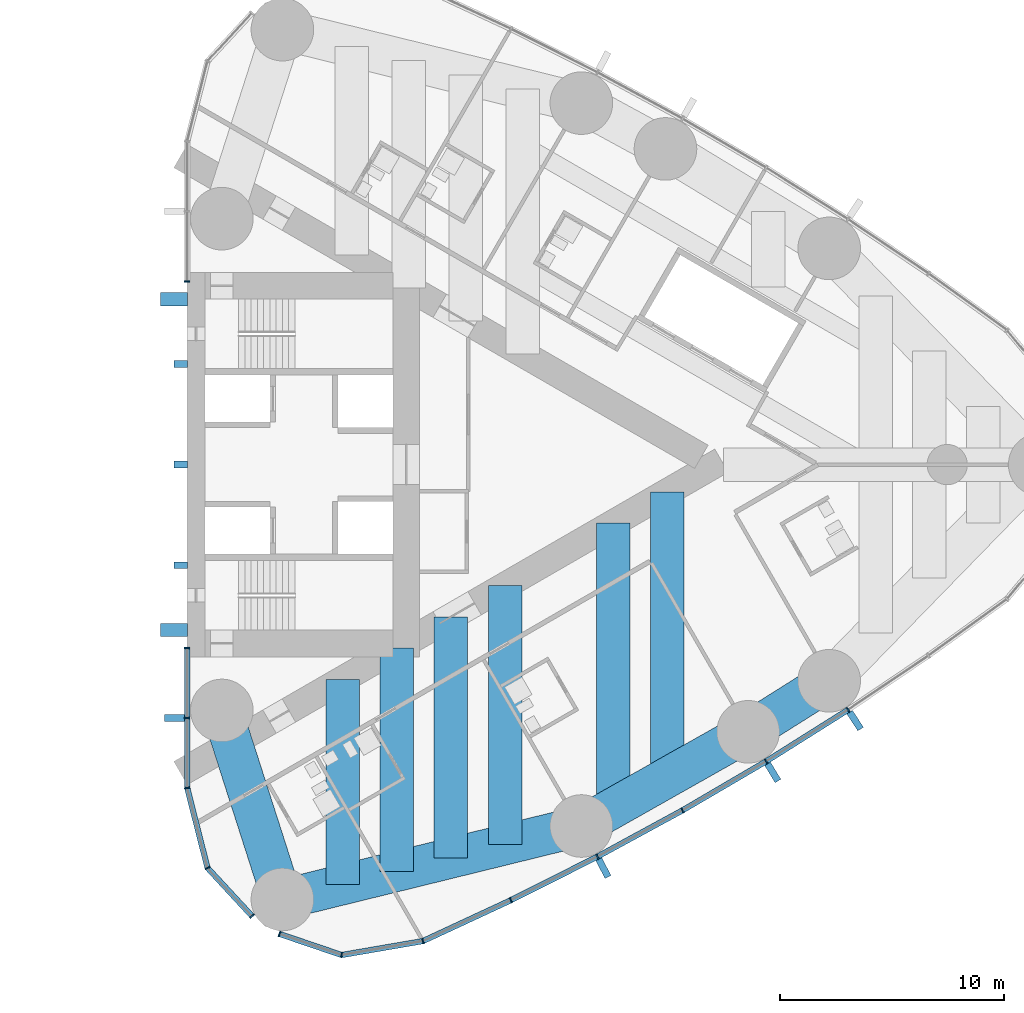
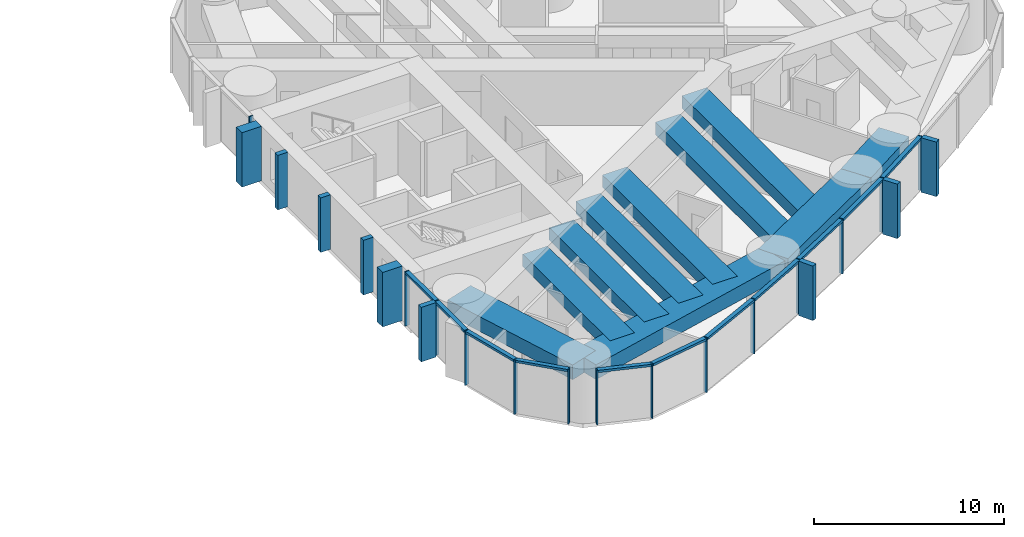
# One storey, part 6 of 18: 34 members, 10 beams, 3 elements without a shape of their own.
"""IFC4 building model written with IfcOpenShell, lengths in metres."""

from ifc_helpers import new_model, si_unit, direction, frame, origin, origin_2d, place, context, subcontext, project, spatial, rectangle, extrude, material, material_profile, profile_set, type_object, element, aggregate, save


model = new_model("IFC4")

# Units and contexts
model_context = context("Model", 3, precision=1e-05, world=origin(), true_north=direction((0.0, 1.0)))
body_context = subcontext(model_context, "Body", "Model", "MODEL_VIEW")
ifc_project = project(units=[si_unit("LENGTHUNIT", "METRE"), si_unit("AREAUNIT", "SQUARE_METRE"), si_unit("VOLUMEUNIT", "CUBIC_METRE"), si_unit("PLANEANGLEUNIT", "RADIAN"), si_unit("MASSUNIT", "GRAM", prefix="KILO")], contexts=[model_context])

# Site, building, storey
site_placement = place(None, origin())
site = spatial("IfcSite", under=ifc_project, at=site_placement, CompositionType="ELEMENT")
building_placement = place(site_placement, origin())
building = spatial("IfcBuilding", under=site, at=building_placement, Name="Lancet Gate Hotel", CompositionType="ELEMENT")
storey_placement = place(building_placement, frame((0.0, 0.0, 180.800048828125)))
storey = spatial("IfcBuildingStorey", under=building, at=storey_placement, Name="L48", CompositionType="ELEMENT", Elevation=180.800048828125)

# Curtain wall, members
ifc_material_1 = material(Name="Aluminium curtain wall", Category="aluminium")
curtain_wall_type = type_object("IfcCurtainWallType", Name="Tower unitised curtain wall", PredefinedType="USERDEFINED", material=ifc_material_1)
curtain_wall_1_placement = place(storey_placement, origin())
curtain_wall_1 = element("IfcCurtainWall", 1, at=curtain_wall_1_placement, inside=storey, type_object=curtain_wall_type, Name="T2 L48 curtain wall 1", ObjectType="UNITISED CURTAIN WALL", PredefinedType="USERDEFINED")
ifc_material_2 = material(Name="Aluminium mullion", Category="aluminium")
ifc_material_profile_1 = material_profile(ifc_material_2, rectangle(XDim=0.06494140625, YDim=0.25, at=origin_2d()), Name="MULLION 65x250")
ifc_profile_set_1 = profile_set([ifc_material_profile_1], Name="Aluminium mullion")
member_type_1 = type_object("IfcMemberType", Name="Aluminium mullion 65x250", PredefinedType="MULLION", material=ifc_profile_set_1)
member_1_placement = place(storey_placement, frame((27.5, -8.199951171875, 0.0), z_axis=(0.0, 0.0, 1.0), x_axis=(0.0, -1.0, 0.0)))
member_1 = element("IfcMember", 2, at=member_1_placement, type_object=member_type_1, Name="T2 L48 curtain wall 1 mullion 1", PredefinedType="MULLION", context=body_context, shape_type="SweptSolid", body=[
    extrude(rectangle(XDim=0.06494140625, YDim=0.25, at=origin_2d()), origin(), (0.0, 0.0, 1.0), 3.5),
])
member_2_placement = place(storey_placement, frame((27.5, -11.332763671875, 0.0), z_axis=(0.0, 0.0, 1.0), x_axis=(0.0, -1.0, 0.0)))
member_2 = element("IfcMember", 3, at=member_2_placement, type_object=member_type_1, Name="T2 L48 curtain wall 1 mullion 2", PredefinedType="MULLION", context=body_context, shape_type="SweptSolid", body=[
    extrude(rectangle(XDim=0.06494140625, YDim=0.25, at=origin_2d()), origin(), (0.0, 0.0, 1.0), 3.5),
])
member_3_placement = place(storey_placement, frame((27.5, -14.465576171875, 0.0), z_axis=(0.0, 0.0, 1.0), x_axis=(0.134206524909, -0.990953383703, 0.0)))
member_3 = element("IfcMember", 4, at=member_3_placement, type_object=member_type_1, Name="T2 L48 curtain wall 1 mullion 3", PredefinedType="MULLION", context=body_context, shape_type="SweptSolid", body=[
    extrude(rectangle(XDim=0.06494140625, YDim=0.25, at=origin_2d()), origin(), (0.0, 0.0, 1.0), 3.5),
])
member_4_placement = place(storey_placement, frame((28.408935546875, -18.04443359375, 0.0), z_axis=(0.0, 0.0, 1.0), x_axis=(0.451505925065, -0.892268120932, 0.0)))
member_4 = element("IfcMember", 5, at=member_4_placement, type_object=member_type_1, Name="T2 L48 curtain wall 1 mullion 4", PredefinedType="MULLION", context=body_context, shape_type="SweptSolid", body=[
    extrude(rectangle(XDim=0.06494140625, YDim=0.25, at=origin_2d()), origin(), (0.0, 0.0, 1.0), 3.5),
])
member_5_placement = place(storey_placement, frame((30.40185546875, -20.199951171875, 0.0), z_axis=(0.0, 0.0, 1.0), x_axis=(0.67883123083, -0.734294327943, 0.0)))
member_5 = element("IfcMember", 6, at=member_5_placement, type_object=member_type_1, Name="T2 L48 curtain wall 1 mullion 5", PredefinedType="MULLION", context=body_context, shape_type="SweptSolid", body=[
    extrude(rectangle(XDim=0.06494140625, YDim=0.25, at=origin_2d()), origin(), (0.0, 0.0, 1.0), 3.5),
])

curtain_wall_2_placement = place(storey_placement, origin())
curtain_wall_2 = element("IfcCurtainWall", 7, at=curtain_wall_2_placement, inside=storey, type_object=curtain_wall_type, Name="T2 L48 curtain wall 2", ObjectType="UNITISED CURTAIN WALL", PredefinedType="USERDEFINED")
member_6_placement = place(storey_placement, frame((31.631591796875, -20.998779296875, 0.0), z_axis=(0.0, 0.0, 1.0), x_axis=(0.946952368511, -0.321373943827, 0.0)))
member_6 = element("IfcMember", 8, at=member_6_placement, type_object=member_type_1, Name="T2 L48 curtain wall 2 mullion 1", PredefinedType="MULLION", context=body_context, shape_type="SweptSolid", body=[
    extrude(rectangle(XDim=0.06494140625, YDim=0.25, at=origin_2d()), origin(), (0.0, 0.0, 1.0), 3.5),
])
member_7_placement = place(storey_placement, frame((34.412109375, -21.9423828125, 0.0), z_axis=(0.0, 0.0, 1.0), x_axis=(0.99877556888, -0.049470829879, 0.0)))
member_7 = element("IfcMember", 9, at=member_7_placement, type_object=member_type_1, Name="T2 L48 curtain wall 2 mullion 2", PredefinedType="MULLION", context=body_context, shape_type="SweptSolid", body=[
    extrude(rectangle(XDim=0.06494140625, YDim=0.25, at=origin_2d()), origin(), (0.0, 0.0, 1.0), 3.5),
])
member_8_placement = place(storey_placement, frame((38.05126953125, -21.31689453125, 0.0), z_axis=(0.0, 0.0, 1.0), x_axis=(0.951355493327, 0.308095318555, 0.0)))
member_8 = element("IfcMember", 10, at=member_8_placement, type_object=member_type_1, Name="T2 L48 curtain wall 2 mullion 3", PredefinedType="MULLION", context=body_context, shape_type="SweptSolid", body=[
    extrude(rectangle(XDim=0.06494140625, YDim=0.25, at=origin_2d()), origin(), (0.0, 0.0, 1.0), 3.5),
])
member_9_placement = place(storey_placement, frame((41.98193359375, -19.490966796875, 0.0), z_axis=(0.0, 0.0, 1.0), x_axis=(0.900141333422, 0.435597956681, 0.0)))
member_9 = element("IfcMember", 11, at=member_9_placement, type_object=member_type_1, Name="T2 L48 curtain wall 2 mullion 4", PredefinedType="MULLION", context=body_context, shape_type="SweptSolid", body=[
    extrude(rectangle(XDim=0.06494140625, YDim=0.25, at=origin_2d()), origin(), (0.0, 0.0, 1.0), 3.5),
])
member_10_placement = place(storey_placement, frame((45.8525390625, -17.54150390625, 0.0), z_axis=(0.0, 0.0, 1.0), x_axis=(0.885877049989, 0.463920092584, 0.0)))
member_10 = element("IfcMember", 12, at=member_10_placement, type_object=member_type_1, Name="T2 L48 curtain wall 2 mullion 5", PredefinedType="MULLION", context=body_context, shape_type="SweptSolid", body=[
    extrude(rectangle(XDim=0.06494140625, YDim=0.25, at=origin_2d()), origin(), (0.0, 0.0, 1.0), 3.5),
])
member_11_placement = place(storey_placement, frame((49.65966796875, -15.47021484375, 0.0), z_axis=(0.0, 0.0, 1.0), x_axis=(0.870721916932, 0.491775704336, 0.0)))
member_11 = element("IfcMember", 13, at=member_11_placement, type_object=member_type_1, Name="T2 L48 curtain wall 2 mullion 6", PredefinedType="MULLION", context=body_context, shape_type="SweptSolid", body=[
    extrude(rectangle(XDim=0.06494140625, YDim=0.25, at=origin_2d()), origin(), (0.0, 0.0, 1.0), 3.5),
])
member_12_placement = place(storey_placement, frame((53.39892578125, -13.279541015625, 0.0), z_axis=(0.0, 0.0, 1.0), x_axis=(0.854691174453, 0.519136779965, 0.0)))
member_12 = element("IfcMember", 14, at=member_12_placement, type_object=member_type_1, Name="T2 L48 curtain wall 2 mullion 7", PredefinedType="MULLION", context=body_context, shape_type="SweptSolid", body=[
    extrude(rectangle(XDim=0.06494140625, YDim=0.25, at=origin_2d()), origin(), (0.0, 0.0, 1.0), 3.5),
])
member_13_placement = place(storey_placement, frame((57.067138671875, -10.970947265625, 0.0), z_axis=(0.0, 0.0, 1.0), x_axis=(0.837800943278, 0.545975804815, 0.0)))
member_13 = element("IfcMember", 15, at=member_13_placement, type_object=member_type_1, Name="T2 L48 curtain wall 2 mullion 8", PredefinedType="MULLION", context=body_context, shape_type="SweptSolid", body=[
    extrude(rectangle(XDim=0.06494140625, YDim=0.25, at=origin_2d()), origin(), (0.0, 0.0, 1.0), 3.5),
])

# Curtain wall, member
curtain_wall_3_placement = place(storey_placement, origin())
curtain_wall_3 = element("IfcCurtainWall", 16, at=curtain_wall_3_placement, inside=storey, type_object=curtain_wall_type, Name="T2 L48 curtain wall 4", ObjectType="UNITISED CURTAIN WALL", PredefinedType="USERDEFINED")
member_14_placement = place(storey_placement, frame((27.5, 8.199951171875, 0.0), z_axis=(0.0, 0.0, 1.0), x_axis=(0.0, -1.0, 0.0)))
member_14 = element("IfcMember", 17, at=member_14_placement, type_object=member_type_1, Name="T2 L48 curtain wall 4 mullion 5", PredefinedType="MULLION", context=body_context, shape_type="SweptSolid", body=[
    extrude(rectangle(XDim=0.06494140625, YDim=0.25, at=origin_2d()), origin(), (0.0, 0.0, 1.0), 3.5),
])
aggregate(curtain_wall_3, [member_14])

# Member
ifc_material_3 = material(Name="Aluminium transom", Category="aluminium")
ifc_material_profile_2 = material_profile(ifc_material_3, rectangle(XDim=0.25, YDim=0.14990234375, at=origin_2d()), Name="TRANSOM 250x150")
ifc_profile_set_2 = profile_set([ifc_material_profile_2], Name="Aluminium transom")
member_type_2 = type_object("IfcMemberType", Name="Aluminium transom 250x150", PredefinedType="USERDEFINED", material=ifc_profile_set_2)
member_15_placement = place(storey_placement, frame((27.5, -8.232421875, 3.425048828125), z_axis=(0.0, -1.0, 0.0), x_axis=(1.0, 0.0, 0.0)))
member_15 = element("IfcMember", 18, at=member_15_placement, type_object=member_type_2, Name="T2 L48 curtain wall 1 transom 1", ObjectType="TRANSOM", PredefinedType="USERDEFINED", context=body_context, shape_type="SweptSolid", body=[
    extrude(rectangle(XDim=0.25, YDim=0.14990234375, at=origin_2d()), origin(), (0.0, 0.0, 1.0), 3.06787109375),
])

member_16_placement = place(storey_placement, frame((27.5, -11.365234375, 3.425048828125), z_axis=(0.0, -1.0, 0.0), x_axis=(1.0, 0.0, 0.0)))
member_16 = element("IfcMember", 19, at=member_16_placement, type_object=member_type_2, Name="T2 L48 curtain wall 1 transom 2", ObjectType="TRANSOM", PredefinedType="USERDEFINED", context=body_context, shape_type="SweptSolid", body=[
    extrude(rectangle(XDim=0.25, YDim=0.14990234375, at=origin_2d()), origin(), (0.0, 0.0, 1.0), 3.06787109375),
])

member_17_placement = place(storey_placement, frame((27.508056640625, -14.4970703125, 3.425048828125), z_axis=(0.246128756616, -0.969237140831, 0.0), x_axis=(0.969237140831, 0.246128756616, 0.0)))
member_17 = element("IfcMember", 20, at=member_17_placement, type_object=member_type_2, Name="T2 L48 curtain wall 1 transom 3", ObjectType="TRANSOM", PredefinedType="USERDEFINED", context=body_context, shape_type="SweptSolid", body=[
    extrude(rectangle(XDim=0.25, YDim=0.14990234375, at=origin_2d()), origin(), (0.0, 0.0, 1.0), 3.62744140625),
])

member_18_placement = place(storey_placement, frame((28.43115234375, -18.068359375, 3.425048828125), z_axis=(0.678792146129, -0.734330458549, 0.0), x_axis=(0.734330458549, 0.678792146129, 0.0)))
member_18 = element("IfcMember", 21, at=member_18_placement, type_object=member_type_2, Name="T2 L48 curtain wall 1 transom 4", ObjectType="TRANSOM", PredefinedType="USERDEFINED", context=body_context, shape_type="SweptSolid", body=[
    extrude(rectangle(XDim=0.25, YDim=0.14990234375, at=origin_2d()), origin(), (0.0, 0.0, 1.0), 2.87060546875),
])

member_19_placement = place(storey_placement, frame((31.662353515625, -21.00927734375, 3.425048828125), z_axis=(0.946943122832, -0.321401185625, 0.0), x_axis=(0.321401185625, 0.946943122832, 0.0)))
member_19 = element("IfcMember", 22, at=member_19_placement, type_object=member_type_2, Name="T2 L48 curtain wall 2 transom 1", ObjectType="TRANSOM", PredefinedType="USERDEFINED", context=body_context, shape_type="SweptSolid", body=[
    extrude(rectangle(XDim=0.25, YDim=0.14990234375, at=origin_2d()), origin(), (0.0, 0.0, 1.0), 2.871337890625),
])

member_20_placement = place(storey_placement, frame((34.444091796875, -21.93701171875, 3.425048828125), z_axis=(0.985536950873, 0.169460669373, 0.0), x_axis=(-0.169460669373, 0.985536950873, 0.0)))
member_20 = element("IfcMember", 23, at=member_20_placement, type_object=member_type_2, Name="T2 L48 curtain wall 2 transom 2", ObjectType="TRANSOM", PredefinedType="USERDEFINED", context=body_context, shape_type="SweptSolid", body=[
    extrude(rectangle(XDim=0.25, YDim=0.14990234375, at=origin_2d()), origin(), (0.0, 0.0, 1.0), 3.627685546875),
])

member_21_placement = place(storey_placement, frame((38.080810546875, -21.30322265625, 3.425048828125), z_axis=(0.906913768492, 0.421316290357, 0.0), x_axis=(-0.421316290357, 0.906913768492, 0.0)))
member_21 = element("IfcMember", 24, at=member_21_placement, type_object=member_type_2, Name="T2 L48 curtain wall 2 transom 3", ObjectType="TRANSOM", PredefinedType="USERDEFINED", context=body_context, shape_type="SweptSolid", body=[
    extrude(rectangle(XDim=0.25, YDim=0.14990234375, at=origin_2d()), origin(), (0.0, 0.0, 1.0), 4.26904296875),
])

member_22_placement = place(storey_placement, frame((42.010986328125, -19.476318359375, 3.425048828125), z_axis=(0.893130969207, 0.449796700571, 0.0), x_axis=(-0.449796700571, 0.893130969207, 0.0)))
member_22 = element("IfcMember", 25, at=member_22_placement, type_object=member_type_2, Name="T2 L48 curtain wall 2 transom 4", ObjectType="TRANSOM", PredefinedType="USERDEFINED", context=body_context, shape_type="SweptSolid", body=[
    extrude(rectangle(XDim=0.25, YDim=0.14990234375, at=origin_2d()), origin(), (0.0, 0.0, 1.0), 4.26904296875),
])

member_23_placement = place(storey_placement, frame((45.881103515625, -17.526123046875, 3.425048828125), z_axis=(0.878404302735, 0.477918278513, 0.0), x_axis=(-0.477918278513, 0.878404302735, 0.0)))
member_23 = element("IfcMember", 26, at=member_23_placement, type_object=member_type_2, Name="T2 L48 curtain wall 2 transom 5", ObjectType="TRANSOM", PredefinedType="USERDEFINED", context=body_context, shape_type="SweptSolid", body=[
    extrude(rectangle(XDim=0.25, YDim=0.14990234375, at=origin_2d()), origin(), (0.0, 0.0, 1.0), 4.26904296875),
])

member_24_placement = place(storey_placement, frame((49.687744140625, -15.453857421875, 3.425048828125), z_axis=(0.862825279032, 0.505502262966, 0.0), x_axis=(-0.505502262966, 0.862825279032, 0.0)))
member_24 = element("IfcMember", 27, at=member_24_placement, type_object=member_type_2, Name="T2 L48 curtain wall 2 transom 6", ObjectType="TRANSOM", PredefinedType="USERDEFINED", context=body_context, shape_type="SweptSolid", body=[
    extrude(rectangle(XDim=0.25, YDim=0.14990234375, at=origin_2d()), origin(), (0.0, 0.0, 1.0), 4.26904296875),
])

member_25_placement = place(storey_placement, frame((53.426513671875, -13.26220703125, 3.425048828125), z_axis=(0.846333101657, 0.532653997488, 0.0), x_axis=(-0.532653997488, 0.846333101657, 0.0)))
member_25 = element("IfcMember", 28, at=member_25_placement, type_object=member_type_2, Name="T2 L48 curtain wall 2 transom 7", ObjectType="TRANSOM", PredefinedType="USERDEFINED", context=body_context, shape_type="SweptSolid", body=[
    extrude(rectangle(XDim=0.25, YDim=0.14990234375, at=origin_2d()), origin(), (0.0, 0.0, 1.0), 4.26904296875),
])

# Beams
ifc_material_4 = material(Name="Concrete C50/60", Category="concrete")
ifc_material_profile_3 = material_profile(ifc_material_4, rectangle(XDim=1.800048828125, YDim=0.949951171875, at=origin_2d()), Name="RC 1800x950")
ifc_profile_set_3 = profile_set([ifc_material_profile_3], Name="Concrete C50/60")
beam_type_1 = type_object("IfcBeamType", Name="Edge beam RC 1800x950", PredefinedType="SPANDREL", material=ifc_profile_set_3)
beam_1_placement = place(storey_placement, frame((31.759765625, -19.455810546875, 2.77490234375), z_axis=(0.971093253227, 0.238700426344, 0.0), x_axis=(-0.238700426344, 0.971093253227, 0.0)))
element("IfcBeam", 29, at=beam_1_placement, inside=storey, type_object=beam_type_1, Name="T2 edge beam EB1 L48", PredefinedType="SPANDREL", context=body_context, shape_type="SweptSolid", body=[
    extrude(rectangle(XDim=1.800048828125, YDim=0.949951171875, at=origin_2d()), origin(), (0.0, 0.0, 1.0), 13.77197265625),
])
beam_2_placement = place(storey_placement, frame((45.133544921875, -16.16845703125, 2.77490234375), z_axis=(0.870721990329, 0.491775574381, 0.0), x_axis=(-0.491775574381, 0.870721990329, 0.0)))
element("IfcBeam", 30, at=beam_2_placement, inside=storey, type_object=beam_type_1, Name="T2 edge beam EB1 L48", PredefinedType="SPANDREL", context=body_context, shape_type="SweptSolid", body=[
    extrude(rectangle(XDim=1.800048828125, YDim=0.949951171875, at=origin_2d()), origin(), (0.0, 0.0, 1.0), 8.568603515625),
])
beam_3_placement = place(storey_placement, frame((52.594482421875, -11.95458984375, 2.77490234375), z_axis=(0.846348902569, 0.532628890617, 0.0), x_axis=(-0.532628890617, 0.846348902569, 0.0)))
element("IfcBeam", 31, at=beam_3_placement, inside=storey, type_object=beam_type_1, Name="T2 edge beam EB1 L48", PredefinedType="SPANDREL", context=body_context, shape_type="SweptSolid", body=[
    extrude(rectangle(XDim=1.800048828125, YDim=0.949951171875, at=origin_2d()), origin(), (0.0, 0.0, 1.0), 4.284912109375),
])
beam_4_placement = place(storey_placement, frame((31.759765625, -19.455810546875, 2.77490234375), z_axis=(-0.305169772986, 0.952297962644, 0.0), x_axis=(-0.952297962644, -0.305169772986, 0.0)))
element("IfcBeam", 32, at=beam_4_placement, inside=storey, type_object=beam_type_1, Name="T2 edge beam EB1 L48", PredefinedType="SPANDREL", context=body_context, shape_type="SweptSolid", body=[
    extrude(rectangle(XDim=1.800048828125, YDim=0.949951171875, at=origin_2d()), origin(), (0.0, 0.0, 1.0), 8.87939453125),
])

# Members
ifc_material_5 = material(Name="Concrete C60/75", Category="concrete")
ifc_material_profile_4 = material_profile(ifc_material_5, rectangle(XDim=0.60009765625, YDim=1.199951171875, at=origin_2d()), Name="FIN 600x1200")
ifc_profile_set_4 = profile_set([ifc_material_profile_4], Name="Concrete C60/75")
member_type_3 = type_object("IfcMemberType", Name="Exposed concrete buttress pilaster 600x1200", PredefinedType="USERDEFINED", material=ifc_profile_set_4)
for number, where, z_axis, x_axis, name in (
    (33, (26.909912109375, -7.39990234375, 0.0), (0.0, 0.0, 1.0), (0.0, 1.0, 0.0), "T2 buttress pilaster S L48"),
    (34, (26.909912109375, 7.39990234375, 0.0), (0.0, 0.0, 1.0), (0.0, 1.0, 0.0), "T2 buttress pilaster N L48"),
):
    element("IfcMember", number, at=place(storey_placement, frame(where, z_axis=z_axis, x_axis=x_axis)), inside=storey, type_object=member_type_3, Name=name, ObjectType="FIN", PredefinedType="USERDEFINED", context=body_context, shape_type="SweptSolid", body=[
        extrude(rectangle(XDim=0.60009765625, YDim=1.199951171875, at=origin_2d()), origin(), (0.0, 0.0, 1.0), 3.5),
    ])

# Member
ifc_material_6 = material(Name="Precast concrete C50/60", Category="concrete")
ifc_material_profile_5 = material_profile(ifc_material_6, rectangle(XDim=0.300048828125, YDim=0.89990234375, at=origin_2d()), Name="FIN 300x900")
ifc_profile_set_5 = profile_set([ifc_material_profile_5], Name="Precast concrete C50/60")
member_type_4 = type_object("IfcMemberType", Name="Exposed concrete fin 300x900", PredefinedType="USERDEFINED", material=ifc_profile_set_5)
member_26_placement = place(storey_placement, frame((26.925048828125, -11.332763671875, 0.0), z_axis=(0.0, 0.0, 1.0), x_axis=(0.0, -1.0, 0.0)))
member_26 = element("IfcMember", 35, at=member_26_placement, type_object=member_type_4, Name="T2 L48 curtain wall 1 fin 2", ObjectType="FIN", PredefinedType="USERDEFINED", context=body_context, shape_type="SweptSolid", body=[
    extrude(rectangle(XDim=0.300048828125, YDim=0.89990234375, at=origin_2d()), origin(), (0.0, 0.0, 1.0), 3.5),
])

aggregate(curtain_wall_1, [member_1, member_2, member_26, member_3, member_4, member_5, member_15, member_16, member_17, member_18])

member_27_placement = place(storey_placement, frame((46.119384765625, -18.051025390625, 0.0), z_axis=(0.0, 0.0, 1.0), x_axis=(0.885877049989, 0.463920092584, 0.0)))
member_27 = element("IfcMember", 36, at=member_27_placement, type_object=member_type_4, Name="T2 L48 curtain wall 2 fin 5", ObjectType="FIN", PredefinedType="USERDEFINED", context=body_context, shape_type="SweptSolid", body=[
    extrude(rectangle(XDim=0.300048828125, YDim=0.89990234375, at=origin_2d()), origin(), (0.0, 0.0, 1.0), 3.5),
])

member_28_placement = place(storey_placement, frame((53.697509765625, -13.770751953125, 0.0), z_axis=(0.0, 0.0, 1.0), x_axis=(0.854691174453, 0.519136779965, 0.0)))
member_28 = element("IfcMember", 37, at=member_28_placement, type_object=member_type_4, Name="T2 L48 curtain wall 2 fin 7", ObjectType="FIN", PredefinedType="USERDEFINED", context=body_context, shape_type="SweptSolid", body=[
    extrude(rectangle(XDim=0.300048828125, YDim=0.89990234375, at=origin_2d()), origin(), (0.0, 0.0, 1.0), 3.5),
])

member_29_placement = place(storey_placement, frame((57.381103515625, -11.452880859375, 0.0), z_axis=(0.0, 0.0, 1.0), x_axis=(0.837800943278, 0.545975804815, 0.0)))
member_29 = element("IfcMember", 38, at=member_29_placement, type_object=member_type_4, Name="T2 L48 curtain wall 2 fin 8", ObjectType="FIN", PredefinedType="USERDEFINED", context=body_context, shape_type="SweptSolid", body=[
    extrude(rectangle(XDim=0.300048828125, YDim=0.89990234375, at=origin_2d()), origin(), (0.0, 0.0, 1.0), 3.5),
])

aggregate(curtain_wall_2, [member_6, member_7, member_8, member_9, member_10, member_27, member_11, member_12, member_28, member_13, member_29, member_19, member_20, member_21, member_22, member_23, member_24, member_25])

# Members
ifc_material_7 = material(Name="Concrete C60/75", Category="concrete")
ifc_material_profile_6 = material_profile(ifc_material_7, rectangle(XDim=0.300048828125, YDim=0.60009765625, at=origin_2d()), Name="FIN 300x600")
ifc_profile_set_6 = profile_set([ifc_material_profile_6], Name="Concrete C60/75")
member_type_5 = type_object("IfcMemberType", Name="Exposed concrete rib 300x600", PredefinedType="USERDEFINED", material=ifc_profile_set_6)
for number, where, z_axis, x_axis, name in (
    (39, (27.2099609375, -4.5, 0.0), (0.0, 0.0, 1.0), (0.0, 1.0, 0.0), "T2 core rib 1 L48"),
    (40, (27.2099609375, 0.0, 0.0), (0.0, 0.0, 1.0), (0.0, 1.0, 0.0), "T2 core rib 2 L48"),
    (41, (27.2099609375, 4.5, 0.0), (0.0, 0.0, 1.0), (0.0, 1.0, 0.0), "T2 core rib 3 L48"),
):
    element("IfcMember", number, at=place(storey_placement, frame(where, z_axis=z_axis, x_axis=x_axis)), inside=storey, type_object=member_type_5, Name=name, ObjectType="FIN", PredefinedType="USERDEFINED", context=body_context, shape_type="SweptSolid", body=[
        extrude(rectangle(XDim=0.300048828125, YDim=0.60009765625, at=origin_2d()), origin(), (0.0, 0.0, 1.0), 3.5),
    ])

# Beams
ifc_material_8 = material(Name="Concrete C50/60", Category="concrete")
ifc_material_profile_7 = material_profile(ifc_material_8, rectangle(XDim=1.5, YDim=0.800048828125, at=origin_2d()), Name="RC 1500x800")
ifc_profile_set_7 = profile_set([ifc_material_profile_7], Name="Concrete C50/60")
beam_type_2 = type_object("IfcBeamType", Name="Floor beam RC 1500x800", PredefinedType="BEAM", material=ifc_profile_set_7)
beam_5_placement = place(storey_placement, frame((34.460693359375, -18.7919921875, 2.849853515625), z_axis=(0.0, 1.0, 0.0), x_axis=(-1.0, 0.0, 0.0)))
element("IfcBeam", 42, at=beam_5_placement, inside=storey, type_object=beam_type_2, Name="T2 floor beam F01S L48", PredefinedType="BEAM", context=body_context, shape_type="SweptSolid", body=[
    extrude(rectangle(XDim=1.5, YDim=0.800048828125, at=origin_2d()), origin(), (0.0, 0.0, 1.0), 9.18408203125),
])
beam_6_placement = place(storey_placement, frame((36.880859375, -18.197021484375, 2.849853515625), z_axis=(0.0, 1.0, 0.0), x_axis=(-1.0, 0.0, 0.0)))
element("IfcBeam", 43, at=beam_6_placement, inside=storey, type_object=beam_type_2, Name="T2 floor beam F03S L48", PredefinedType="BEAM", context=body_context, shape_type="SweptSolid", body=[
    extrude(rectangle(XDim=1.5, YDim=0.800048828125, at=origin_2d()), origin(), (0.0, 0.0, 1.0), 9.986328125),
])
beam_7_placement = place(storey_placement, frame((39.301025390625, -17.60205078125, 2.849853515625), z_axis=(0.0, 1.0, 0.0), x_axis=(-1.0, 0.0, 0.0)))
element("IfcBeam", 44, at=beam_7_placement, inside=storey, type_object=beam_type_2, Name="T2 floor beam F05S L48", PredefinedType="BEAM", context=body_context, shape_type="SweptSolid", body=[
    extrude(rectangle(XDim=1.5, YDim=0.800048828125, at=origin_2d()), origin(), (0.0, 0.0, 1.0), 10.78857421875),
])
beam_8_placement = place(storey_placement, frame((41.721435546875, -17.007080078125, 2.849853515625), z_axis=(0.0, 1.0, 0.0), x_axis=(-1.0, 0.0, 0.0)))
element("IfcBeam", 45, at=beam_8_placement, inside=storey, type_object=beam_type_2, Name="T2 floor beam F07S L48", PredefinedType="BEAM", context=body_context, shape_type="SweptSolid", body=[
    extrude(rectangle(XDim=1.5, YDim=0.800048828125, at=origin_2d()), origin(), (0.0, 0.0, 1.0), 11.591064453125),
])
beam_9_placement = place(storey_placement, frame((46.561767578125, -15.36181640625, 2.849853515625), z_axis=(0.0, 1.0, 0.0), x_axis=(-1.0, 0.0, 0.0)))
element("IfcBeam", 46, at=beam_9_placement, inside=storey, type_object=beam_type_2, Name="T2 floor beam F09S L48", PredefinedType="BEAM", context=body_context, shape_type="SweptSolid", body=[
    extrude(rectangle(XDim=1.5, YDim=0.800048828125, at=origin_2d()), origin(), (0.0, 0.0, 1.0), 12.740478515625),
])
beam_10_placement = place(storey_placement, frame((48.98193359375, -13.994873046875, 2.849853515625), z_axis=(0.0, 1.0, 0.0), x_axis=(-1.0, 0.0, 0.0)))
element("IfcBeam", 47, at=beam_10_placement, inside=storey, type_object=beam_type_2, Name="T2 floor beam F10S L48", PredefinedType="BEAM", context=body_context, shape_type="SweptSolid", body=[
    extrude(rectangle(XDim=1.5, YDim=0.800048828125, at=origin_2d()), origin(), (0.0, 0.0, 1.0), 12.770751953125),
])

save(model, "model.ifc")
